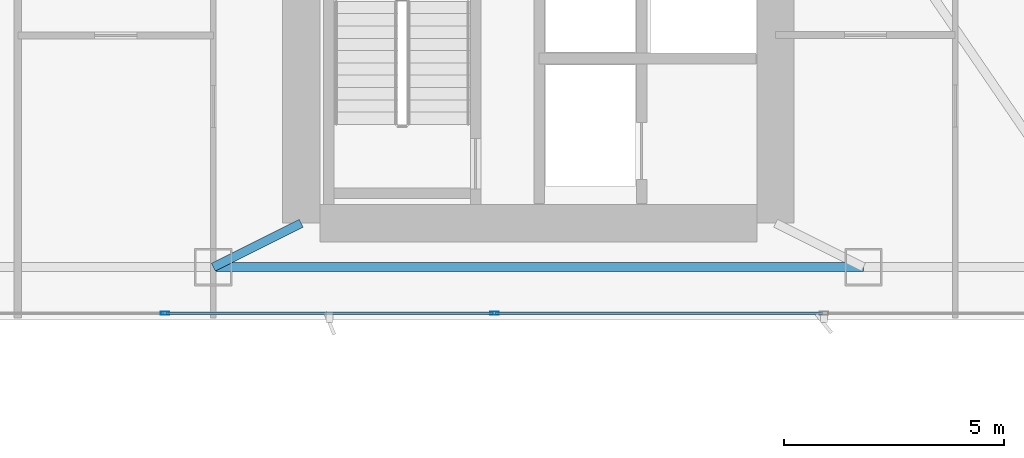
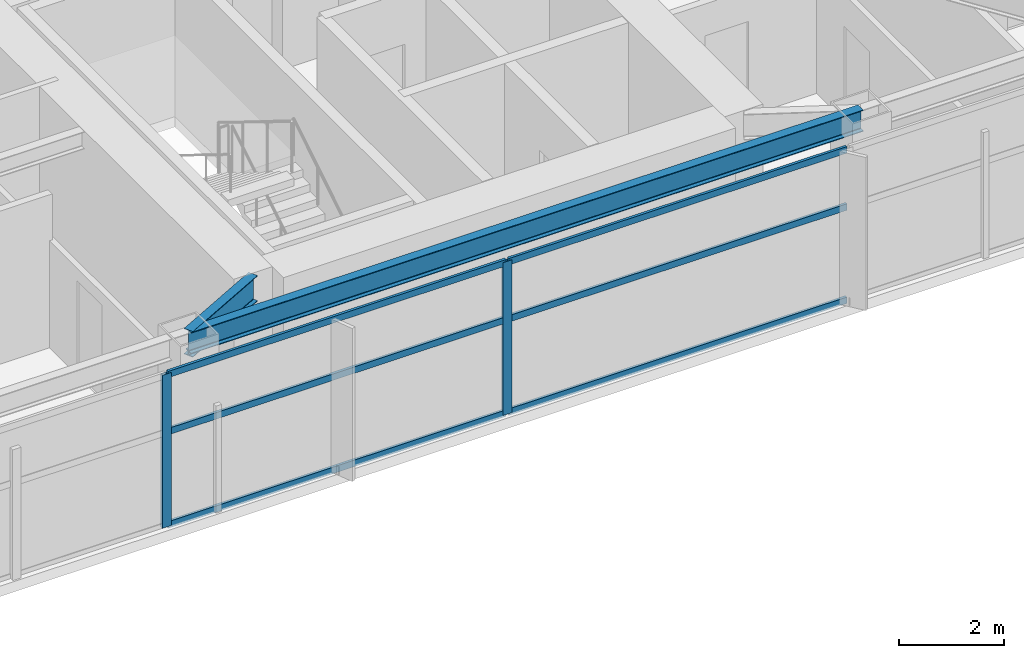
# One storey, part 6 of 28: 8 members, 2 beams, 1 element without a shape of its own.
"""IFC4 building model written with IfcOpenShell, lengths in metres."""

from ifc_helpers import new_model, si_unit, direction, frame, origin, origin_2d, place, context, subcontext, project, spatial, hollow_rectangle, i_section, extrude, material, layer, layer_set, material_profile, profile_set, type_object, element, aggregate, save


model = new_model("IFC4")

# Units and contexts
model_context = context("Model", 3, precision=1e-05, world=origin(), true_north=direction((0.0, 1.0)))
body_context = subcontext(model_context, "Body", "Model", "MODEL_VIEW")
ifc_project = project(units=[si_unit("LENGTHUNIT", "METRE"), si_unit("AREAUNIT", "SQUARE_METRE"), si_unit("VOLUMEUNIT", "CUBIC_METRE"), si_unit("PLANEANGLEUNIT", "RADIAN"), si_unit("MASSUNIT", "GRAM", prefix="KILO")], contexts=[model_context])

# Site, building, storey
site_placement = place(None, origin())
site = spatial("IfcSite", under=ifc_project, at=site_placement, CompositionType="ELEMENT")
building_placement = place(site_placement, origin())
building = spatial("IfcBuilding", under=site, at=building_placement, Name="Calvorn Quay Hotel", CompositionType="ELEMENT")
storey_placement = place(building_placement, frame((0.0, 0.0, 156.10009765625)))
storey = spatial("IfcBuildingStorey", under=building, at=storey_placement, Name="L38", CompositionType="ELEMENT", Elevation=156.10009765625)

# Beams
ifc_material_1 = material(Name="Steel Q355B", Category="steel")
ifc_material_profile_1 = material_profile(ifc_material_1, i_section(OverallWidth=0.199951171875, OverallDepth=0.60009765625, WebThickness=0.010986328125, FlangeThickness=0.01708984375, FilletRadius=0.01806640625, at=origin_2d()), Name="HN600x200x11x17")
ifc_profile_set_1 = profile_set([ifc_material_profile_1], Name="Steel Q355B")
beam_type_1 = type_object("IfcBeamType", Name="BM-GIRD-TYP", PredefinedType="BEAM", material=ifc_profile_set_1)
beam_1_placement = place(storey_placement, frame((19.60009765625, 3.60009765625, 3.239990234375), z_axis=(0.894427191, 0.4472135955, 0.0), x_axis=(-0.4472135955, 0.894427191, 0.0)))
element("IfcBeam", 1, at=beam_1_placement, inside=storey, type_object=beam_type_1, Name="Beam BG-L38-S2", PredefinedType="BEAM", context=body_context, shape_type="SweptSolid", body=[
    extrude(i_section(OverallWidth=0.199951171875, OverallDepth=0.60009765625, WebThickness=0.010986328125, FlangeThickness=0.01708984375, FilletRadius=0.01806640625, at=origin_2d()), origin(), (0.0, 0.0, 1.0), 2.236083984375),
])
ifc_material_2 = material(Name="Steel Q355B", Category="steel")
ifc_material_profile_2 = material_profile(ifc_material_2, i_section(OverallWidth=0.199951171875, OverallDepth=0.5, WebThickness=0.010009765625, FlangeThickness=0.01611328125, FilletRadius=0.01611328125, at=origin_2d()), Name="HN500x200x10x16")
ifc_profile_set_2 = profile_set([ifc_material_profile_2], Name="Steel Q355B")
beam_type_2 = type_object("IfcBeamType", Name="BM-SPANDREL-Z1", PredefinedType="SPANDREL", material=ifc_profile_set_2)
beam_2_placement = place(storey_placement, frame((19.60009765625, 3.60009765625, 3.289794921875), z_axis=(1.0, 0.0, 0.0), x_axis=(0.0, 1.0, 0.0)))
element("IfcBeam", 2, at=beam_2_placement, inside=storey, type_object=beam_type_2, Name="Beam BSP-L38-S3", PredefinedType="SPANDREL", context=body_context, shape_type="SweptSolid", body=[
    extrude(i_section(OverallWidth=0.199951171875, OverallDepth=0.5, WebThickness=0.010009765625, FlangeThickness=0.01611328125, FilletRadius=0.01611328125, at=origin_2d()), origin(), (0.0, 0.0, 1.0), 14.7998046875),
])

# Curtain wall, members
ifc_material_3 = material(Name="Pale Anodised Aluminium and Low-E Glass", Category="aluminium")
ifc_layer = layer(ifc_material_3, 0.219970703125)
ifc_layer_set = layer_set([ifc_layer], Name="CW-SYS-Z2")
curtain_wall_type = type_object("IfcCurtainWallType", Name="CW-SYS-Z2", PredefinedType="NOTDEFINED", material=ifc_layer_set)
curtain_wall_placement = place(storey_placement, origin())
curtain_wall = element("IfcCurtainWall", 3, at=curtain_wall_placement, inside=storey, type_object=curtain_wall_type, Name="Tower South Waterfront Curtain Wall (L38)", PredefinedType="NOTDEFINED")
ifc_material_4 = material(Name="Pale Anodised Aluminium 6063-T6", Category="aluminium")
ifc_material_profile_3 = material_profile(ifc_material_4, hollow_rectangle(XDim=0.070068359375, YDim=0.199951171875, WallThickness=0.00390625, at=origin_2d()), Name="ALU-M200x70x4")
ifc_profile_set_3 = profile_set([ifc_material_profile_3], Name="Pale Anodised Aluminium 6063-T6")
member_type_1 = type_object("IfcMemberType", Name="CW-SYS-Z2-MUL", PredefinedType="MULLION", material=ifc_profile_set_3)
member_1_placement = place(storey_placement, frame((18.5, 2.550048828125, 0.0), z_axis=(0.0, 0.0, 1.0), x_axis=(0.0, 1.0, 0.0)))
member_1 = element("IfcMember", 4, at=member_1_placement, type_object=member_type_1, Name="CW-L38-S mullion 2", PredefinedType="MULLION", context=body_context, shape_type="SweptSolid", body=[
    extrude(hollow_rectangle(XDim=0.070068359375, YDim=0.199951171875, WallThickness=0.00390625, at=origin_2d()), origin(), (0.0, 0.0, 1.0), 3.559814453125),
])
member_2_placement = place(storey_placement, frame((26.0, 2.550048828125, 0.0), z_axis=(0.0, 0.0, 1.0), x_axis=(0.0, 1.0, 0.0)))
member_2 = element("IfcMember", 5, at=member_2_placement, type_object=member_type_1, Name="CW-L38-S mullion 3", PredefinedType="MULLION", context=body_context, shape_type="SweptSolid", body=[
    extrude(hollow_rectangle(XDim=0.070068359375, YDim=0.199951171875, WallThickness=0.00390625, at=origin_2d()), origin(), (0.0, 0.0, 1.0), 3.559814453125),
])
ifc_material_5 = material(Name="Pale Anodised Aluminium 6063-T6", Category="aluminium")
ifc_material_profile_4 = material_profile(ifc_material_5, hollow_rectangle(XDim=0.06005859375, YDim=0.14990234375, WallThickness=0.00341796875, at=origin_2d()), Name="ALU-T150x60x3.5")
ifc_profile_set_4 = profile_set([ifc_material_profile_4], Name="Pale Anodised Aluminium 6063-T6")
member_type_2 = type_object("IfcMemberType", Name="CW-SYS-Z2-TRN", PredefinedType="USERDEFINED", material=ifc_profile_set_4)
member_3_placement = place(storey_placement, frame((18.530029296875, 2.550048828125, 0.02978515625), z_axis=(1.0, 0.0, 0.0), x_axis=(0.0, 1.0, 0.0)))
member_3 = element("IfcMember", 6, at=member_3_placement, type_object=member_type_2, Name="CW-L38-S transom 2.1", ObjectType="TRANSOM", PredefinedType="USERDEFINED", context=body_context, shape_type="SweptSolid", body=[
    extrude(hollow_rectangle(XDim=0.06005859375, YDim=0.14990234375, WallThickness=0.00341796875, at=origin_2d()), origin(), (0.0, 0.0, 1.0), 7.43994140625),
])
member_4_placement = place(storey_placement, frame((18.530029296875, 2.550048828125, 2.199951171875), z_axis=(1.0, 0.0, 0.0), x_axis=(0.0, 1.0, 0.0)))
member_4 = element("IfcMember", 7, at=member_4_placement, type_object=member_type_2, Name="CW-L38-S transom 2.2", ObjectType="TRANSOM", PredefinedType="USERDEFINED", context=body_context, shape_type="SweptSolid", body=[
    extrude(hollow_rectangle(XDim=0.06005859375, YDim=0.14990234375, WallThickness=0.00341796875, at=origin_2d()), origin(), (0.0, 0.0, 1.0), 7.43994140625),
])
member_5_placement = place(storey_placement, frame((18.530029296875, 2.550048828125, 3.52978515625), z_axis=(1.0, 0.0, 0.0), x_axis=(0.0, 1.0, 0.0)))
member_5 = element("IfcMember", 8, at=member_5_placement, type_object=member_type_2, Name="CW-L38-S transom 2.3", ObjectType="TRANSOM", PredefinedType="USERDEFINED", context=body_context, shape_type="SweptSolid", body=[
    extrude(hollow_rectangle(XDim=0.06005859375, YDim=0.14990234375, WallThickness=0.00341796875, at=origin_2d()), origin(), (0.0, 0.0, 1.0), 7.43994140625),
])
member_6_placement = place(storey_placement, frame((26.030029296875, 2.550048828125, 0.02978515625), z_axis=(1.0, 0.0, 0.0), x_axis=(0.0, 1.0, 0.0)))
member_6 = element("IfcMember", 9, at=member_6_placement, type_object=member_type_2, Name="CW-L38-S transom 3.1", ObjectType="TRANSOM", PredefinedType="USERDEFINED", context=body_context, shape_type="SweptSolid", body=[
    extrude(hollow_rectangle(XDim=0.06005859375, YDim=0.14990234375, WallThickness=0.00341796875, at=origin_2d()), origin(), (0.0, 0.0, 1.0), 7.43994140625),
])
member_7_placement = place(storey_placement, frame((26.030029296875, 2.550048828125, 2.199951171875), z_axis=(1.0, 0.0, 0.0), x_axis=(0.0, 1.0, 0.0)))
member_7 = element("IfcMember", 10, at=member_7_placement, type_object=member_type_2, Name="CW-L38-S transom 3.2", ObjectType="TRANSOM", PredefinedType="USERDEFINED", context=body_context, shape_type="SweptSolid", body=[
    extrude(hollow_rectangle(XDim=0.06005859375, YDim=0.14990234375, WallThickness=0.00341796875, at=origin_2d()), origin(), (0.0, 0.0, 1.0), 7.43994140625),
])
member_8_placement = place(storey_placement, frame((26.030029296875, 2.550048828125, 3.52978515625), z_axis=(1.0, 0.0, 0.0), x_axis=(0.0, 1.0, 0.0)))
member_8 = element("IfcMember", 11, at=member_8_placement, type_object=member_type_2, Name="CW-L38-S transom 3.3", ObjectType="TRANSOM", PredefinedType="USERDEFINED", context=body_context, shape_type="SweptSolid", body=[
    extrude(hollow_rectangle(XDim=0.06005859375, YDim=0.14990234375, WallThickness=0.00341796875, at=origin_2d()), origin(), (0.0, 0.0, 1.0), 7.43994140625),
])
aggregate(curtain_wall, [member_1, member_2, member_3, member_4, member_5, member_6, member_7, member_8])

save(model, "model.ifc")
